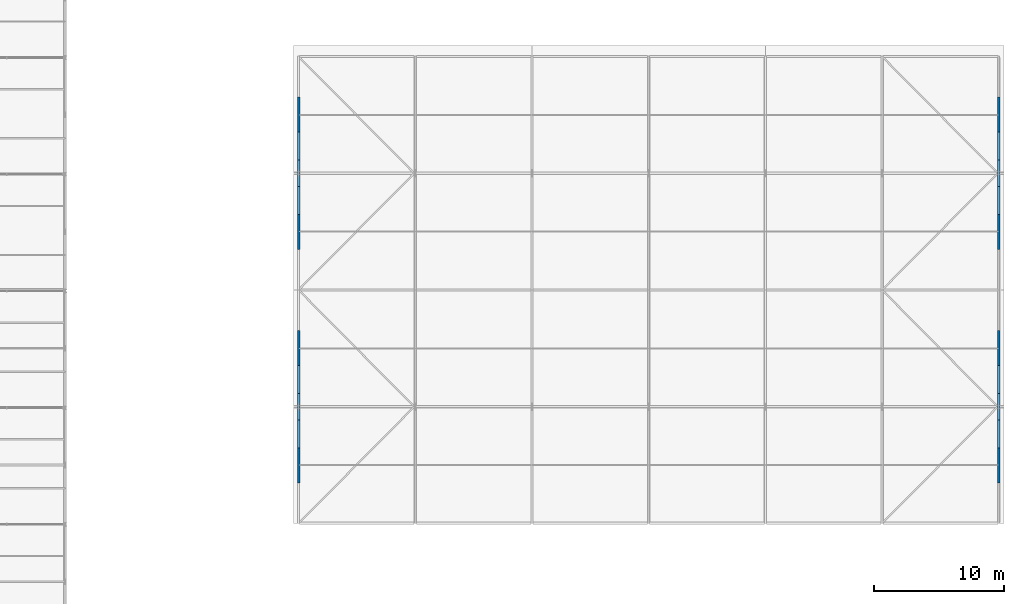
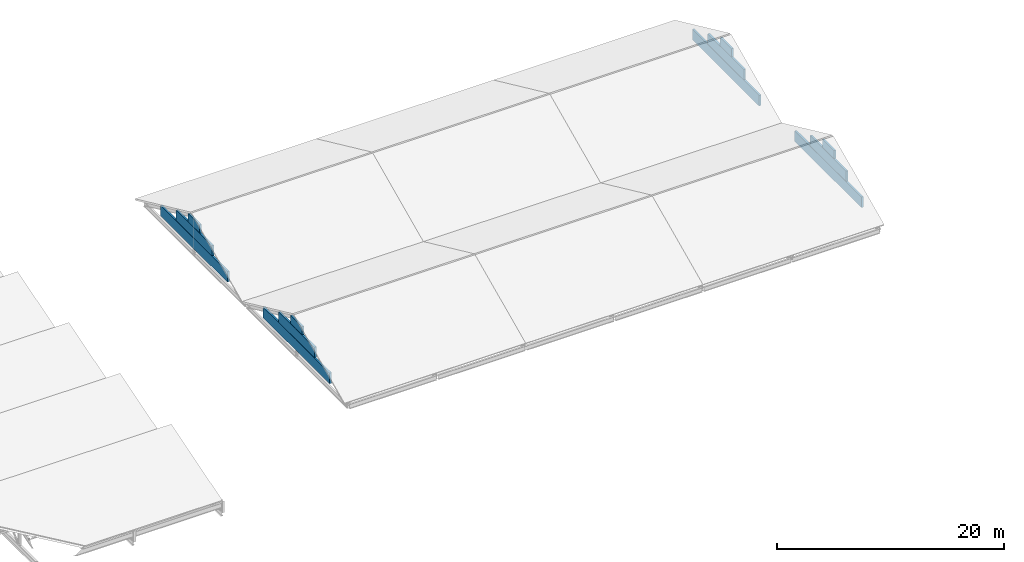
# One storey, part 155 of 163: 12 walls.
"""IFC4 building model written with IfcOpenShell, lengths in metres."""

from ifc_helpers import new_model, si_unit, direction, frame, frame_2d, origin, place, context, subcontext, project, spatial, rectangle, extrude, material, layer, layer_set, type_object, element, save


model = new_model("IFC4")

# Units and contexts
model_context = context("Model", 3, precision=1e-05, world=origin(), true_north=direction((0.0, 1.0)))
body_context = subcontext(model_context, "Body", "Model", "MODEL_VIEW")
ifc_project = project(units=[si_unit("LENGTHUNIT", "METRE"), si_unit("AREAUNIT", "SQUARE_METRE"), si_unit("VOLUMEUNIT", "CUBIC_METRE"), si_unit("PLANEANGLEUNIT", "RADIAN"), si_unit("MASSUNIT", "GRAM", prefix="KILO")], contexts=[model_context])

# Site, building, storey
site_placement = place(None, origin())
site = spatial("IfcSite", under=ifc_project, at=site_placement, CompositionType="ELEMENT")
building_placement = place(site_placement, origin())
building = spatial("IfcBuilding", under=site, at=building_placement, Name="Tharagai Park Tramway Depot", CompositionType="ELEMENT")
storey_placement = place(building_placement, frame((0.0, 0.0, 8.39990234375)))
storey = spatial("IfcBuildingStorey", under=building, at=storey_placement, Name="L02", CompositionType="ELEMENT", Elevation=8.39990234375)

# Walls
ifc_material = material(Name="Charnockite stone", Category="masonry")
ifc_layer = layer(ifc_material, 0.199951171875)
ifc_layer_set = layer_set([ifc_layer], Name="Charnockite stone")
wall_type = type_object("IfcWallType", Name="PRW-01", PredefinedType="PARAPET", material=ifc_layer_set)
wall_1_placement = place(storey_placement, frame((162.0, 102.1298828125, 0.076171875), z_axis=(0.0, 0.0, 1.0), x_axis=(0.0, 1.0, 0.0)))
element("IfcWall", 1, at=wall_1_placement, inside=storey, type_object=wall_type, Name="V3B1 Gothic Gable Tympanum Parapet Course 1", PredefinedType="PARAPET", context=body_context, shape_type="SweptSolid", body=[
    extrude(rectangle(XDim=11.740234375, YDim=0.199951171875, at=frame_2d((5.8701171875, 0.0))), origin(), (0.0, 0.0, 1.0), 1.139892578125),
])
wall_2_placement = place(storey_placement, frame((162.0, 104.830078125, 1.255126953125), z_axis=(0.0, 0.0, 1.0), x_axis=(0.0, 1.0, 0.0)))
element("IfcWall", 2, at=wall_2_placement, inside=storey, type_object=wall_type, Name="V3B1 Gothic Gable Tympanum Parapet Course 2", PredefinedType="PARAPET", context=body_context, shape_type="SweptSolid", body=[
    extrude(rectangle(XDim=6.33984375, YDim=0.199951171875, at=frame_2d((3.169921875, 0.0))), origin(), (0.0, 0.0, 1.0), 1.10205078125),
])
wall_3_placement = place(storey_placement, frame((162.0, 106.989990234375, 2.39501953125), z_axis=(0.0, 0.0, 1.0), x_axis=(0.0, 1.0, 0.0)))
element("IfcWall", 3, at=wall_3_placement, inside=storey, type_object=wall_type, Name="V3B1 Gothic Gable Tympanum Parapet Course 3", PredefinedType="PARAPET", context=body_context, shape_type="SweptSolid", body=[
    extrude(rectangle(XDim=2.02001953125, YDim=0.199951171875, at=frame_2d((1.010009765625, 0.0))), origin(), (0.0, 0.0, 1.0), 0.8740234375),
])
wall_4_placement = place(storey_placement, frame((216.0, 102.1298828125, 0.076171875), z_axis=(0.0, 0.0, 1.0), x_axis=(0.0, 1.0, 0.0)))
element("IfcWall", 4, at=wall_4_placement, inside=storey, type_object=wall_type, Name="V3B1 Gothic Gable Tympanum Parapet Course 1", PredefinedType="PARAPET", context=body_context, shape_type="SweptSolid", body=[
    extrude(rectangle(XDim=11.740234375, YDim=0.199951171875, at=frame_2d((5.8701171875, 0.0))), origin(), (0.0, 0.0, 1.0), 1.139892578125),
])
wall_5_placement = place(storey_placement, frame((216.0, 104.830078125, 1.255126953125), z_axis=(0.0, 0.0, 1.0), x_axis=(0.0, 1.0, 0.0)))
element("IfcWall", 5, at=wall_5_placement, inside=storey, type_object=wall_type, Name="V3B1 Gothic Gable Tympanum Parapet Course 2", PredefinedType="PARAPET", context=body_context, shape_type="SweptSolid", body=[
    extrude(rectangle(XDim=6.33984375, YDim=0.199951171875, at=frame_2d((3.169921875, 0.0))), origin(), (0.0, 0.0, 1.0), 1.10205078125),
])
wall_6_placement = place(storey_placement, frame((216.0, 106.989990234375, 2.39501953125), z_axis=(0.0, 0.0, 1.0), x_axis=(0.0, 1.0, 0.0)))
element("IfcWall", 6, at=wall_6_placement, inside=storey, type_object=wall_type, Name="V3B1 Gothic Gable Tympanum Parapet Course 3", PredefinedType="PARAPET", context=body_context, shape_type="SweptSolid", body=[
    extrude(rectangle(XDim=2.02001953125, YDim=0.199951171875, at=frame_2d((1.010009765625, 0.0))), origin(), (0.0, 0.0, 1.0), 0.8740234375),
])
wall_7_placement = place(storey_placement, frame((162.0, 120.1298828125, 0.076171875), z_axis=(0.0, 0.0, 1.0), x_axis=(0.0, 1.0, 0.0)))
element("IfcWall", 7, at=wall_7_placement, inside=storey, type_object=wall_type, Name="V3B2 Gothic Gable Tympanum Parapet Course 1", PredefinedType="PARAPET", context=body_context, shape_type="SweptSolid", body=[
    extrude(rectangle(XDim=11.740234375, YDim=0.199951171875, at=frame_2d((5.8701171875, 0.0))), origin(), (0.0, 0.0, 1.0), 1.139892578125),
])
wall_8_placement = place(storey_placement, frame((162.0, 122.830078125, 1.255126953125), z_axis=(0.0, 0.0, 1.0), x_axis=(0.0, 1.0, 0.0)))
element("IfcWall", 8, at=wall_8_placement, inside=storey, type_object=wall_type, Name="V3B2 Gothic Gable Tympanum Parapet Course 2", PredefinedType="PARAPET", context=body_context, shape_type="SweptSolid", body=[
    extrude(rectangle(XDim=6.33984375, YDim=0.199951171875, at=frame_2d((3.169921875, 0.0))), origin(), (0.0, 0.0, 1.0), 1.10205078125),
])
wall_9_placement = place(storey_placement, frame((162.0, 124.989990234375, 2.39501953125), z_axis=(0.0, 0.0, 1.0), x_axis=(0.0, 1.0, 0.0)))
element("IfcWall", 9, at=wall_9_placement, inside=storey, type_object=wall_type, Name="V3B2 Gothic Gable Tympanum Parapet Course 3", PredefinedType="PARAPET", context=body_context, shape_type="SweptSolid", body=[
    extrude(rectangle(XDim=2.02001953125, YDim=0.199951171875, at=frame_2d((1.010009765625, 0.0))), origin(), (0.0, 0.0, 1.0), 0.8740234375),
])
wall_10_placement = place(storey_placement, frame((216.0, 120.1298828125, 0.076171875), z_axis=(0.0, 0.0, 1.0), x_axis=(0.0, 1.0, 0.0)))
element("IfcWall", 10, at=wall_10_placement, inside=storey, type_object=wall_type, Name="V3B2 Gothic Gable Tympanum Parapet Course 1", PredefinedType="PARAPET", context=body_context, shape_type="SweptSolid", body=[
    extrude(rectangle(XDim=11.740234375, YDim=0.199951171875, at=frame_2d((5.8701171875, 0.0))), origin(), (0.0, 0.0, 1.0), 1.139892578125),
])
wall_11_placement = place(storey_placement, frame((216.0, 122.830078125, 1.255126953125), z_axis=(0.0, 0.0, 1.0), x_axis=(0.0, 1.0, 0.0)))
element("IfcWall", 11, at=wall_11_placement, inside=storey, type_object=wall_type, Name="V3B2 Gothic Gable Tympanum Parapet Course 2", PredefinedType="PARAPET", context=body_context, shape_type="SweptSolid", body=[
    extrude(rectangle(XDim=6.33984375, YDim=0.199951171875, at=frame_2d((3.169921875, 0.0))), origin(), (0.0, 0.0, 1.0), 1.10205078125),
])
wall_12_placement = place(storey_placement, frame((216.0, 124.989990234375, 2.39501953125), z_axis=(0.0, 0.0, 1.0), x_axis=(0.0, 1.0, 0.0)))
element("IfcWall", 12, at=wall_12_placement, inside=storey, type_object=wall_type, Name="V3B2 Gothic Gable Tympanum Parapet Course 3", PredefinedType="PARAPET", context=body_context, shape_type="SweptSolid", body=[
    extrude(rectangle(XDim=2.02001953125, YDim=0.199951171875, at=frame_2d((1.010009765625, 0.0))), origin(), (0.0, 0.0, 1.0), 0.8740234375),
])

save(model, "model.ifc")
